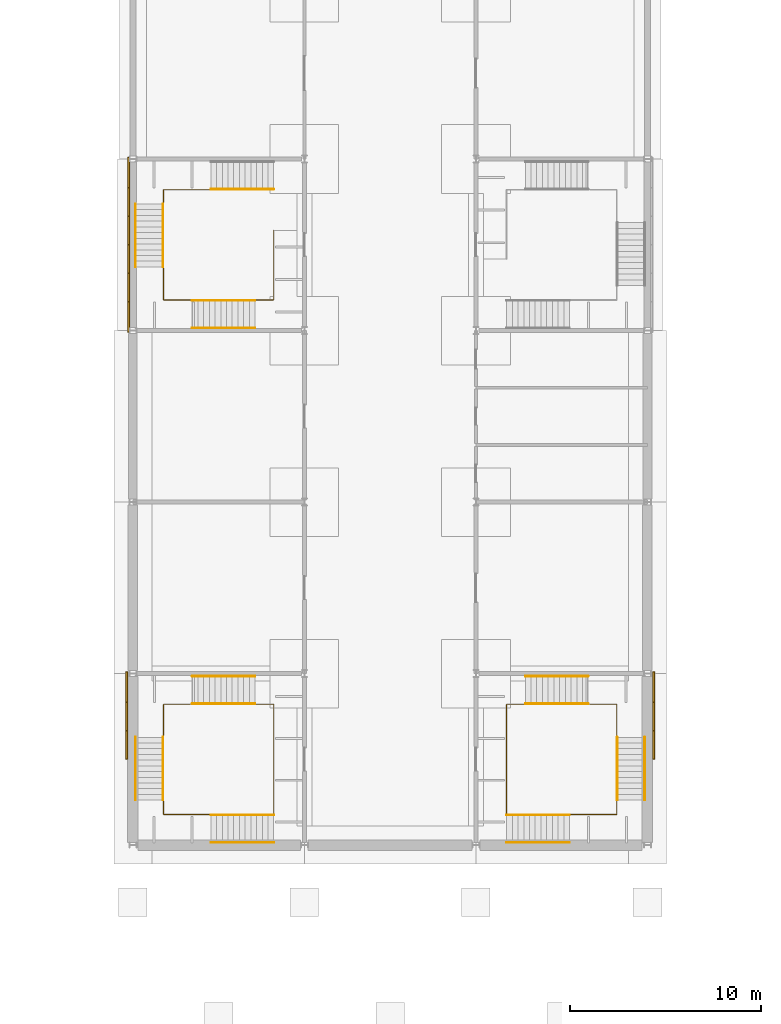
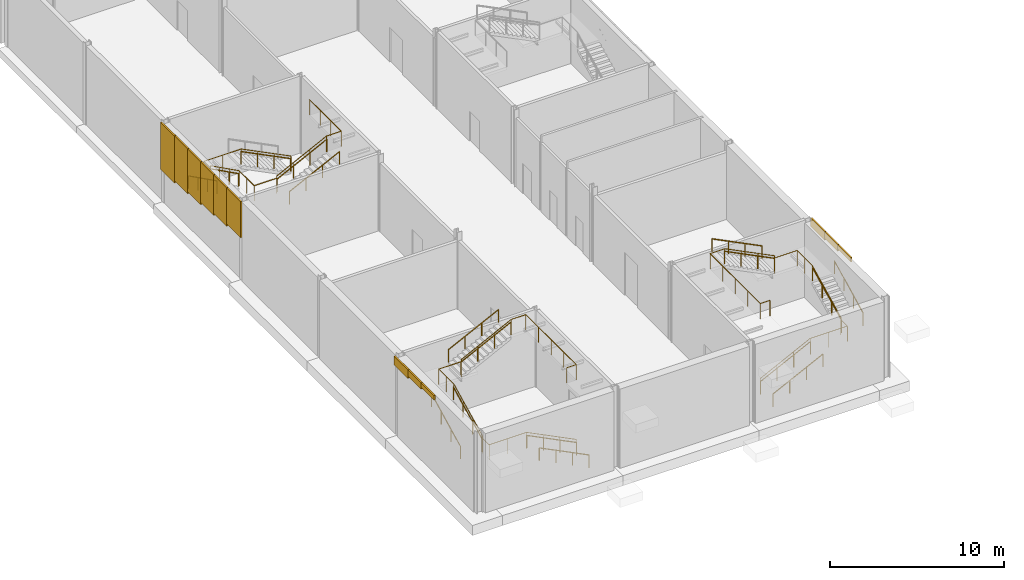
# One storey, part 37 of 45: 20 railings, 12 coverings.
"""IFC4 building model written with IfcOpenShell, lengths in metres."""

from ifc_helpers import new_model, si_unit, direction, frame, origin, origin_2d, place, context, subcontext, project, spatial, rectangle, circle, extrude, material, layer, layer_set, type_object, element, save


model = new_model("IFC4")

# Units and contexts
model_context = context("Model", 3, precision=1e-05, world=origin(), true_north=direction((0.0, 1.0)))
body_context = subcontext(model_context, "Body", "Model", "MODEL_VIEW")
ifc_project = project(units=[si_unit("LENGTHUNIT", "METRE"), si_unit("AREAUNIT", "SQUARE_METRE"), si_unit("VOLUMEUNIT", "CUBIC_METRE"), si_unit("PLANEANGLEUNIT", "RADIAN"), si_unit("MASSUNIT", "GRAM", prefix="KILO")], contexts=[model_context])

# Site, building, storey
site_placement = place(None, origin())
site = spatial("IfcSite", under=ifc_project, at=site_placement, CompositionType="ELEMENT")
building_placement = place(site_placement, origin())
building = spatial("IfcBuilding", under=site, at=building_placement, Name="Azimuth Sports and Learning Centre", CompositionType="ELEMENT")
storey_placement = place(building_placement, origin())
storey = spatial("IfcBuildingStorey", under=building, at=storey_placement, Name="L00", CompositionType="ELEMENT", Elevation=0.0)

# Coverings
ifc_material_1 = material(Name="Cladding panel")
ifc_layer = layer(ifc_material_1, 0.10009765625)
ifc_layer_set = layer_set([ifc_layer], Name="Cladding panel")
covering_type = type_object("IfcCoveringType", Name="Cladding panel 100", PredefinedType="CLADDING", material=ifc_layer_set)
covering_1_placement = place(storey_placement, frame((71.77490234375, 35.300048828125, 1.9501953125), z_axis=(0.0, 0.0, 1.0), x_axis=(0.0, -1.0, 0.0)))
element("IfcCovering", 1, at=covering_1_placement, inside=storey, type_object=covering_type, Name="Cladding panel W-ST3 L00 1", PredefinedType="CLADDING", context=body_context, shape_type="SweptSolid", body=[
    extrude(rectangle(XDim=1.60009765625, YDim=0.10009765625, at=origin_2d()), origin(), (0.0, 0.0, 1.0), 3.300048828125),
])
covering_2_placement = place(storey_placement, frame((71.77490234375, 33.75, 2.10009765625), z_axis=(0.0, 0.0, 1.0), x_axis=(0.0, -1.0, 0.0)))
element("IfcCovering", 2, at=covering_2_placement, inside=storey, type_object=covering_type, Name="Cladding panel W-ST3 L00 2", PredefinedType="CLADDING", context=body_context, shape_type="SweptSolid", body=[
    extrude(rectangle(XDim=1.5, YDim=0.10009765625, at=origin_2d()), origin(), (0.0, 0.0, 1.0), 3.14990234375),
])
covering_3_placement = place(storey_placement, frame((71.77490234375, 32.25, 2.25), z_axis=(0.0, 0.0, 1.0), x_axis=(0.0, -1.0, 0.0)))
element("IfcCovering", 3, at=covering_3_placement, inside=storey, type_object=covering_type, Name="Cladding panel W-ST3 L00 3", PredefinedType="CLADDING", context=body_context, shape_type="SweptSolid", body=[
    extrude(rectangle(XDim=1.5, YDim=0.10009765625, at=origin_2d()), origin(), (0.0, 0.0, 1.0), 3.0),
])
covering_4_placement = place(storey_placement, frame((71.77490234375, 30.75, 2.39990234375), z_axis=(0.0, 0.0, 1.0), x_axis=(0.0, -1.0, 0.0)))
element("IfcCovering", 4, at=covering_4_placement, inside=storey, type_object=covering_type, Name="Cladding panel W-ST3 L00 4", PredefinedType="CLADDING", context=body_context, shape_type="SweptSolid", body=[
    extrude(rectangle(XDim=1.5, YDim=0.10009765625, at=origin_2d()), origin(), (0.0, 0.0, 1.0), 2.85009765625),
])
covering_5_placement = place(storey_placement, frame((71.77490234375, 29.25, 2.5498046875), z_axis=(0.0, 0.0, 1.0), x_axis=(0.0, -1.0, 0.0)))
element("IfcCovering", 5, at=covering_5_placement, inside=storey, type_object=covering_type, Name="Cladding panel W-ST3 L00 5", PredefinedType="CLADDING", context=body_context, shape_type="SweptSolid", body=[
    extrude(rectangle(XDim=1.5, YDim=0.10009765625, at=origin_2d()), origin(), (0.0, 0.0, 1.0), 2.699951171875),
])
covering_6_placement = place(storey_placement, frame((71.77490234375, 27.699951171875, 2.7099609375), z_axis=(0.0, 0.0, 1.0), x_axis=(0.0, -1.0, 0.0)))
element("IfcCovering", 6, at=covering_6_placement, inside=storey, type_object=covering_type, Name="Cladding panel W-ST3 L00 6", PredefinedType="CLADDING", context=body_context, shape_type="SweptSolid", body=[
    extrude(rectangle(XDim=1.60009765625, YDim=0.10009765625, at=origin_2d()), origin(), (0.0, 0.0, 1.0), 2.5400390625),
])
covering_7_placement = place(storey_placement, frame((71.675048828125, 8.300048828125, 4.64990234375), z_axis=(0.0, 0.0, 1.0), x_axis=(0.0, -1.0, 0.0)))
element("IfcCovering", 7, at=covering_7_placement, inside=storey, type_object=covering_type, Name="Cladding panel W-ST1 L00 1", PredefinedType="CLADDING", context=body_context, shape_type="SweptSolid", body=[
    extrude(rectangle(XDim=1.60009765625, YDim=0.10009765625, at=origin_2d()), origin(), (0.0, 0.0, 1.0), 0.60009765625),
])
covering_8_placement = place(storey_placement, frame((71.675048828125, 6.75, 4.7998046875), z_axis=(0.0, 0.0, 1.0), x_axis=(0.0, -1.0, 0.0)))
element("IfcCovering", 8, at=covering_8_placement, inside=storey, type_object=covering_type, Name="Cladding panel W-ST1 L00 2", PredefinedType="CLADDING", context=body_context, shape_type="SweptSolid", body=[
    extrude(rectangle(XDim=1.5, YDim=0.10009765625, at=origin_2d()), origin(), (0.0, 0.0, 1.0), 0.449951171875),
])
for number, where, z_axis, x_axis, name in (
    (9, (71.675048828125, 5.25, 4.9501953125), (0.0, 0.0, 1.0), (0.0, -1.0, 0.0), "Cladding panel W-ST1 L00 3"),
    (10, (99.324951171875, 5.25, 4.9501953125), (0.0, 0.0, 1.0), (0.0, 1.0, 0.0), "Cladding panel E-ST2 L00 1"),
):
    element("IfcCovering", number, at=place(storey_placement, frame(where, z_axis=z_axis, x_axis=x_axis)), inside=storey, type_object=covering_type, Name=name, PredefinedType="CLADDING", context=body_context, shape_type="SweptSolid", body=[
        extrude(rectangle(XDim=1.5, YDim=0.10009765625, at=origin_2d()), origin(), (0.0, 0.0, 1.0), 0.300048828125),
    ])
covering_9_placement = place(storey_placement, frame((99.324951171875, 6.75, 4.7998046875), z_axis=(0.0, 0.0, 1.0), x_axis=(0.0, 1.0, 0.0)))
element("IfcCovering", 11, at=covering_9_placement, inside=storey, type_object=covering_type, Name="Cladding panel E-ST2 L00 2", PredefinedType="CLADDING", context=body_context, shape_type="SweptSolid", body=[
    extrude(rectangle(XDim=1.5, YDim=0.10009765625, at=origin_2d()), origin(), (0.0, 0.0, 1.0), 0.449951171875),
])
covering_10_placement = place(storey_placement, frame((99.324951171875, 8.300048828125, 4.64990234375), z_axis=(0.0, 0.0, 1.0), x_axis=(0.0, 1.0, 0.0)))
element("IfcCovering", 12, at=covering_10_placement, inside=storey, type_object=covering_type, Name="Cladding panel E-ST2 L00 3", PredefinedType="CLADDING", context=body_context, shape_type="SweptSolid", body=[
    extrude(rectangle(XDim=1.60009765625, YDim=0.10009765625, at=origin_2d()), origin(), (0.0, 0.0, 1.0), 0.60009765625),
])

# Railings
ifc_material_2 = material(Name="Stainless steel", Category="steel")
railing_type_1 = type_object("IfcRailingType", Name="Stair guard 1100", PredefinedType="GUARDRAIL", material=ifc_material_2)
railing_1_placement = place(storey_placement, frame((79.389892578125, 1.610107421875, 0.14990234375)))
element("IfcRailing", 13, at=railing_1_placement, inside=storey, type_object=railing_type_1, Name="Guard ST1 L00 well", PredefinedType="GUARDRAIL", context=body_context, shape_type="SweptSolid", body=[
    extrude(circle(Radius=0.02392578125, at=origin_2d()), frame((0.0, 0.0, 1.076171875), z_axis=(-0.894400720042, 0.0, 0.447266533499), x_axis=(0.0, -1.0, 0.0)), (0.0, 0.0, 1.0), 3.689453125),
    extrude(circle(Radius=0.02392578125, at=origin_2d()), frame((-3.2998046875, 0.0, 2.72607421875), z_axis=(-1.0, 0.0, 0.0), x_axis=(0.0, -1.0, 0.0)), (0.0, 0.0, 1.0), 2.47998046875),
    extrude(circle(Radius=0.02392578125, at=origin_2d()), frame((-5.77978515625, 0.0, 2.72607421875), z_axis=(0.0, 1.0, 0.0), x_axis=(-1.0, 0.0, 0.0)), (0.0, 0.0, 1.0), 0.75),
    extrude(circle(Radius=0.02392578125, at=origin_2d()), frame((-5.77978515625, 0.75, 2.72607421875), z_axis=(0.0, 0.0, 1.0), x_axis=(1.0, 0.0, 0.0)), (0.0, 0.0, 1.0), 0.14990234375),
    extrude(circle(Radius=0.02392578125, at=origin_2d()), frame((-5.77978515625, 0.75, 2.8759765625), z_axis=(0.0, 0.894400720042, 0.447266533499), x_axis=(-1.0, 0.0, 0.0)), (0.0, 0.0, 1.0), 3.689453125),
    extrude(circle(Radius=0.02392578125, at=origin_2d()), frame((-5.77978515625, 4.0498046875, 4.5263671875), z_axis=(0.0, 1.0, 0.0), x_axis=(-1.0, 0.0, 0.0)), (0.0, 0.0, 1.0), 1.72998046875),
    extrude(circle(Radius=0.02392578125, at=origin_2d()), frame((-5.77978515625, 5.77978515625, 4.5263671875), z_axis=(1.0, 0.0, 0.0), x_axis=(0.0, 1.0, 0.0)), (0.0, 0.0, 1.0), 1.5),
    extrude(circle(Radius=0.02392578125, at=origin_2d()), frame((-4.27978515625, 5.77978515625, 4.5263671875), z_axis=(0.0, 0.0, 1.0), x_axis=(1.0, 0.0, 0.0)), (0.0, 0.0, 1.0), 0.14990234375),
    extrude(circle(Radius=0.02392578125, at=origin_2d()), frame((-4.27978515625, 5.77978515625, 4.67626953125), z_axis=(0.894427191, 0.0, 0.4472135955), x_axis=(0.0, 1.0, 0.0)), (0.0, 0.0, 1.0), 3.689208984375),
    extrude(circle(Radius=0.02392578125, at=origin_2d()), frame((-0.97998046875, 5.77978515625, 6.326171875), z_axis=(1.0, 0.0, 0.0), x_axis=(0.0, 1.0, 0.0)), (0.0, 0.0, 1.0), 0.97998046875),
    extrude(circle(Radius=0.02392578125, at=origin_2d()), frame((0.0, 5.77978515625, 6.326171875), z_axis=(0.0, -1.0, 0.0), x_axis=(1.0, 0.0, 0.0)), (0.0, 0.0, 1.0), 5.77978515625),
    extrude(circle(Radius=0.02392578125, at=origin_2d()), frame((0.0, 0.0, 6.326171875), z_axis=(-1.0, 0.0, 0.0), x_axis=(0.0, -1.0, 0.0)), (0.0, 0.0, 1.0), 0.639892578125),
    extrude(circle(Radius=0.01611328125, at=origin_2d()), origin(), (0.0, 0.0, 1.0), 1.052001953125),
    extrude(circle(Radius=0.01611328125, at=origin_2d()), frame((-1.099853515625, 0.0, 0.550048828125)), (0.0, 0.0, 1.0), 1.052001953125),
    extrude(circle(Radius=0.01611328125, at=origin_2d()), frame((-2.199951171875, 0.0, 1.10009765625)), (0.0, 0.0, 1.0), 1.052001953125),
    extrude(circle(Radius=0.01611328125, at=origin_2d()), frame((-3.2998046875, 0.0, 1.650146484375)), (0.0, 0.0, 1.0), 1.052001953125),
    extrude(circle(Radius=0.01611328125, at=origin_2d()), frame((-4.539794921875, 0.0, 1.650146484375)), (0.0, 0.0, 1.0), 1.052001953125),
    extrude(circle(Radius=0.01611328125, at=origin_2d()), frame((-5.77978515625, 0.0, 1.650146484375)), (0.0, 0.0, 1.0), 1.052001953125),
    extrude(circle(Radius=0.01611328125, at=origin_2d()), frame((-5.77978515625, 0.75, 1.650146484375)), (0.0, 0.0, 1.0), 1.052001953125),
    extrude(circle(Radius=0.01611328125, at=origin_2d()), frame((-5.77978515625, 0.75, 1.800048828125)), (0.0, 0.0, 1.0), 1.052001953125),
    extrude(circle(Radius=0.01611328125, at=origin_2d()), frame((-5.77978515625, 1.849853515625, 2.35009765625)), (0.0, 0.0, 1.0), 1.052001953125),
    extrude(circle(Radius=0.01611328125, at=origin_2d()), frame((-5.77978515625, 2.949951171875, 2.900146484375)), (0.0, 0.0, 1.0), 1.052001953125),
    extrude(circle(Radius=0.01611328125, at=origin_2d()), frame((-5.77978515625, 4.0498046875, 3.4501953125)), (0.0, 0.0, 1.0), 1.052001953125),
    extrude(circle(Radius=0.01611328125, at=origin_2d()), frame((-5.77978515625, 4.914794921875, 3.4501953125)), (0.0, 0.0, 1.0), 1.052001953125),
    extrude(circle(Radius=0.01611328125, at=origin_2d()), frame((-5.77978515625, 5.77978515625, 3.4501953125)), (0.0, 0.0, 1.0), 1.052001953125),
    extrude(circle(Radius=0.01611328125, at=origin_2d()), frame((-4.27978515625, 5.77978515625, 3.4501953125)), (0.0, 0.0, 1.0), 1.052001953125),
    extrude(circle(Radius=0.01611328125, at=origin_2d()), frame((-4.27978515625, 5.77978515625, 3.60009765625)), (0.0, 0.0, 1.0), 1.052001953125),
    extrude(circle(Radius=0.01611328125, at=origin_2d()), frame((-3.179931640625, 5.77978515625, 4.150146484375)), (0.0, 0.0, 1.0), 1.052001953125),
    extrude(circle(Radius=0.01611328125, at=origin_2d()), frame((-2.079833984375, 5.77978515625, 4.699951171875)), (0.0, 0.0, 1.0), 1.052001953125),
    extrude(circle(Radius=0.01611328125, at=origin_2d()), frame((-0.97998046875, 5.77978515625, 5.25)), (0.0, 0.0, 1.0), 1.052001953125),
    extrude(circle(Radius=0.01611328125, at=origin_2d()), frame((0.0, 5.77978515625, 5.25)), (0.0, 0.0, 1.0), 1.052001953125),
    extrude(circle(Radius=0.01611328125, at=origin_2d()), frame((0.0, 4.3349609375, 5.25)), (0.0, 0.0, 1.0), 1.052001953125),
    extrude(circle(Radius=0.01611328125, at=origin_2d()), frame((0.0, 2.889892578125, 5.25)), (0.0, 0.0, 1.0), 1.052001953125),
    extrude(circle(Radius=0.01611328125, at=origin_2d()), frame((0.0, 1.44482421875, 5.25)), (0.0, 0.0, 1.0), 1.052001953125),
    extrude(circle(Radius=0.01611328125, at=origin_2d()), frame((0.0, 0.0, 5.25)), (0.0, 0.0, 1.0), 1.052001953125),
    extrude(circle(Radius=0.01611328125, at=origin_2d()), frame((-0.639892578125, 0.0, 5.25)), (0.0, 0.0, 1.0), 1.052001953125),
])
railing_2_placement = place(storey_placement, frame((91.610107421875, 1.610107421875, 0.14990234375)))
element("IfcRailing", 14, at=railing_2_placement, inside=storey, type_object=railing_type_1, Name="Guard ST2 L00 well", PredefinedType="GUARDRAIL", context=body_context, shape_type="SweptSolid", body=[
    extrude(circle(Radius=0.02392578125, at=origin_2d()), frame((0.0, 0.0, 1.076171875), z_axis=(0.894400720042, 0.0, 0.447266533499), x_axis=(0.0, 1.0, 0.0)), (0.0, 0.0, 1.0), 3.689453125),
    extrude(circle(Radius=0.02392578125, at=origin_2d()), frame((3.2998046875, 0.0, 2.72607421875), z_axis=(1.0, 0.0, 0.0), x_axis=(0.0, 1.0, 0.0)), (0.0, 0.0, 1.0), 2.47998046875),
    extrude(circle(Radius=0.02392578125, at=origin_2d()), frame((5.77978515625, 0.0, 2.72607421875), z_axis=(0.0, 1.0, 0.0), x_axis=(-1.0, 0.0, 0.0)), (0.0, 0.0, 1.0), 0.75),
    extrude(circle(Radius=0.02392578125, at=origin_2d()), frame((5.77978515625, 0.75, 2.72607421875), z_axis=(0.0, 0.0, 1.0), x_axis=(1.0, 0.0, 0.0)), (0.0, 0.0, 1.0), 0.14990234375),
    extrude(circle(Radius=0.02392578125, at=origin_2d()), frame((5.77978515625, 0.75, 2.8759765625), z_axis=(0.0, 0.894400720042, 0.447266533499), x_axis=(-1.0, 0.0, 0.0)), (0.0, 0.0, 1.0), 3.689453125),
    extrude(circle(Radius=0.02392578125, at=origin_2d()), frame((5.77978515625, 4.0498046875, 4.5263671875), z_axis=(0.0, 1.0, 0.0), x_axis=(-1.0, 0.0, 0.0)), (0.0, 0.0, 1.0), 1.72998046875),
    extrude(circle(Radius=0.02392578125, at=origin_2d()), frame((5.77978515625, 5.77978515625, 4.5263671875), z_axis=(-1.0, 0.0, 0.0), x_axis=(0.0, -1.0, 0.0)), (0.0, 0.0, 1.0), 1.5),
    extrude(circle(Radius=0.02392578125, at=origin_2d()), frame((4.27978515625, 5.77978515625, 4.5263671875), z_axis=(0.0, 0.0, 1.0), x_axis=(1.0, 0.0, 0.0)), (0.0, 0.0, 1.0), 0.14990234375),
    extrude(circle(Radius=0.02392578125, at=origin_2d()), frame((4.27978515625, 5.77978515625, 4.67626953125), z_axis=(-0.894427191, 0.0, 0.4472135955), x_axis=(0.0, -1.0, 0.0)), (0.0, 0.0, 1.0), 3.689208984375),
    extrude(circle(Radius=0.02392578125, at=origin_2d()), frame((0.97998046875, 5.77978515625, 6.326171875), z_axis=(-1.0, 0.0, 0.0), x_axis=(0.0, -1.0, 0.0)), (0.0, 0.0, 1.0), 0.97998046875),
    extrude(circle(Radius=0.02392578125, at=origin_2d()), frame((0.0, 5.77978515625, 6.326171875), z_axis=(0.0, -1.0, 0.0), x_axis=(1.0, 0.0, 0.0)), (0.0, 0.0, 1.0), 5.77978515625),
    extrude(circle(Radius=0.02392578125, at=origin_2d()), frame((0.0, 0.0, 6.326171875), z_axis=(1.0, 0.0, 0.0), x_axis=(0.0, 1.0, 0.0)), (0.0, 0.0, 1.0), 0.639892578125),
    extrude(circle(Radius=0.01611328125, at=origin_2d()), origin(), (0.0, 0.0, 1.0), 1.052001953125),
    extrude(circle(Radius=0.01611328125, at=origin_2d()), frame((1.099853515625, 0.0, 0.550048828125)), (0.0, 0.0, 1.0), 1.052001953125),
    extrude(circle(Radius=0.01611328125, at=origin_2d()), frame((2.199951171875, 0.0, 1.10009765625)), (0.0, 0.0, 1.0), 1.052001953125),
    extrude(circle(Radius=0.01611328125, at=origin_2d()), frame((3.2998046875, 0.0, 1.650146484375)), (0.0, 0.0, 1.0), 1.052001953125),
    extrude(circle(Radius=0.01611328125, at=origin_2d()), frame((4.539794921875, 0.0, 1.650146484375)), (0.0, 0.0, 1.0), 1.052001953125),
    extrude(circle(Radius=0.01611328125, at=origin_2d()), frame((5.77978515625, 0.0, 1.650146484375)), (0.0, 0.0, 1.0), 1.052001953125),
    extrude(circle(Radius=0.01611328125, at=origin_2d()), frame((5.77978515625, 0.75, 1.650146484375)), (0.0, 0.0, 1.0), 1.052001953125),
    extrude(circle(Radius=0.01611328125, at=origin_2d()), frame((5.77978515625, 0.75, 1.800048828125)), (0.0, 0.0, 1.0), 1.052001953125),
    extrude(circle(Radius=0.01611328125, at=origin_2d()), frame((5.77978515625, 1.849853515625, 2.35009765625)), (0.0, 0.0, 1.0), 1.052001953125),
    extrude(circle(Radius=0.01611328125, at=origin_2d()), frame((5.77978515625, 2.949951171875, 2.900146484375)), (0.0, 0.0, 1.0), 1.052001953125),
    extrude(circle(Radius=0.01611328125, at=origin_2d()), frame((5.77978515625, 4.0498046875, 3.4501953125)), (0.0, 0.0, 1.0), 1.052001953125),
    extrude(circle(Radius=0.01611328125, at=origin_2d()), frame((5.77978515625, 4.914794921875, 3.4501953125)), (0.0, 0.0, 1.0), 1.052001953125),
    extrude(circle(Radius=0.01611328125, at=origin_2d()), frame((5.77978515625, 5.77978515625, 3.4501953125)), (0.0, 0.0, 1.0), 1.052001953125),
    extrude(circle(Radius=0.01611328125, at=origin_2d()), frame((4.27978515625, 5.77978515625, 3.4501953125)), (0.0, 0.0, 1.0), 1.052001953125),
    extrude(circle(Radius=0.01611328125, at=origin_2d()), frame((4.27978515625, 5.77978515625, 3.60009765625)), (0.0, 0.0, 1.0), 1.052001953125),
    extrude(circle(Radius=0.01611328125, at=origin_2d()), frame((3.179931640625, 5.77978515625, 4.150146484375)), (0.0, 0.0, 1.0), 1.052001953125),
    extrude(circle(Radius=0.01611328125, at=origin_2d()), frame((2.079833984375, 5.77978515625, 4.699951171875)), (0.0, 0.0, 1.0), 1.052001953125),
    extrude(circle(Radius=0.01611328125, at=origin_2d()), frame((0.97998046875, 5.77978515625, 5.25)), (0.0, 0.0, 1.0), 1.052001953125),
    extrude(circle(Radius=0.01611328125, at=origin_2d()), frame((0.0, 5.77978515625, 5.25)), (0.0, 0.0, 1.0), 1.052001953125),
    extrude(circle(Radius=0.01611328125, at=origin_2d()), frame((0.0, 4.3349609375, 5.25)), (0.0, 0.0, 1.0), 1.052001953125),
    extrude(circle(Radius=0.01611328125, at=origin_2d()), frame((0.0, 2.889892578125, 5.25)), (0.0, 0.0, 1.0), 1.052001953125),
    extrude(circle(Radius=0.01611328125, at=origin_2d()), frame((0.0, 1.44482421875, 5.25)), (0.0, 0.0, 1.0), 1.052001953125),
    extrude(circle(Radius=0.01611328125, at=origin_2d()), frame((0.0, 0.0, 5.25)), (0.0, 0.0, 1.0), 1.052001953125),
    extrude(circle(Radius=0.01611328125, at=origin_2d()), frame((0.639892578125, 0.0, 5.25)), (0.0, 0.0, 1.0), 1.052001953125),
])
railing_3_placement = place(storey_placement, frame((79.389892578125, 34.389892578125, 0.14990234375)))
element("IfcRailing", 15, at=railing_3_placement, inside=storey, type_object=railing_type_1, Name="Guard ST3 L00 well", PredefinedType="GUARDRAIL", context=body_context, shape_type="SweptSolid", body=[
    extrude(circle(Radius=0.02392578125, at=origin_2d()), frame((0.0, 0.0, 1.076171875), z_axis=(-0.894400720042, 0.0, 0.447266533499), x_axis=(0.0, -1.0, 0.0)), (0.0, 0.0, 1.0), 3.689453125),
    extrude(circle(Radius=0.02392578125, at=origin_2d()), frame((-3.2998046875, 0.0, 2.72607421875), z_axis=(-1.0, 0.0, 0.0), x_axis=(0.0, -1.0, 0.0)), (0.0, 0.0, 1.0), 2.47998046875),
    extrude(circle(Radius=0.02392578125, at=origin_2d()), frame((-5.77978515625, 0.0, 2.72607421875), z_axis=(0.0, -1.0, 0.0), x_axis=(1.0, 0.0, 0.0)), (0.0, 0.0, 1.0), 0.75),
    extrude(circle(Radius=0.02392578125, at=origin_2d()), frame((-5.77978515625, -0.75, 2.72607421875), z_axis=(0.0, 0.0, 1.0), x_axis=(1.0, 0.0, 0.0)), (0.0, 0.0, 1.0), 0.14990234375),
    extrude(circle(Radius=0.02392578125, at=origin_2d()), frame((-5.77978515625, -0.75, 2.8759765625), z_axis=(0.0, -0.894400720042, 0.447266533499), x_axis=(1.0, 0.0, 0.0)), (0.0, 0.0, 1.0), 3.689453125),
    extrude(circle(Radius=0.02392578125, at=origin_2d()), frame((-5.77978515625, -4.0498046875, 4.5263671875), z_axis=(0.0, -1.0, 0.0), x_axis=(1.0, 0.0, 0.0)), (0.0, 0.0, 1.0), 1.72998046875),
    extrude(circle(Radius=0.02392578125, at=origin_2d()), frame((-5.77978515625, -5.77978515625, 4.5263671875), z_axis=(1.0, 0.0, 0.0), x_axis=(0.0, 1.0, 0.0)), (0.0, 0.0, 1.0), 1.5),
    extrude(circle(Radius=0.02392578125, at=origin_2d()), frame((-4.27978515625, -5.77978515625, 4.5263671875), z_axis=(0.0, 0.0, 1.0), x_axis=(1.0, 0.0, 0.0)), (0.0, 0.0, 1.0), 0.14990234375),
    extrude(circle(Radius=0.02392578125, at=origin_2d()), frame((-4.27978515625, -5.77978515625, 4.67626953125), z_axis=(0.894427191, 0.0, 0.4472135955), x_axis=(0.0, 1.0, 0.0)), (0.0, 0.0, 1.0), 3.689208984375),
    extrude(circle(Radius=0.02392578125, at=origin_2d()), frame((-0.97998046875, -5.77978515625, 6.326171875), z_axis=(1.0, 0.0, 0.0), x_axis=(0.0, 1.0, 0.0)), (0.0, 0.0, 1.0), 0.97998046875),
    extrude(circle(Radius=0.02392578125, at=origin_2d()), frame((0.0, -5.77978515625, 6.326171875), z_axis=(0.0, 1.0, 0.0), x_axis=(-1.0, 0.0, 0.0)), (0.0, 0.0, 1.0), 3.639892578125),
    extrude(circle(Radius=0.01611328125, at=origin_2d()), origin(), (0.0, 0.0, 1.0), 1.052001953125),
    extrude(circle(Radius=0.01611328125, at=origin_2d()), frame((-1.099853515625, 0.0, 0.550048828125)), (0.0, 0.0, 1.0), 1.052001953125),
    extrude(circle(Radius=0.01611328125, at=origin_2d()), frame((-2.199951171875, 0.0, 1.10009765625)), (0.0, 0.0, 1.0), 1.052001953125),
    extrude(circle(Radius=0.01611328125, at=origin_2d()), frame((-3.2998046875, 0.0, 1.650146484375)), (0.0, 0.0, 1.0), 1.052001953125),
    extrude(circle(Radius=0.01611328125, at=origin_2d()), frame((-4.539794921875, 0.0, 1.650146484375)), (0.0, 0.0, 1.0), 1.052001953125),
    extrude(circle(Radius=0.01611328125, at=origin_2d()), frame((-5.77978515625, 0.0, 1.650146484375)), (0.0, 0.0, 1.0), 1.052001953125),
    extrude(circle(Radius=0.01611328125, at=origin_2d()), frame((-5.77978515625, -0.75, 1.650146484375)), (0.0, 0.0, 1.0), 1.052001953125),
    extrude(circle(Radius=0.01611328125, at=origin_2d()), frame((-5.77978515625, -0.75, 1.800048828125)), (0.0, 0.0, 1.0), 1.052001953125),
    extrude(circle(Radius=0.01611328125, at=origin_2d()), frame((-5.77978515625, -1.849853515625, 2.35009765625)), (0.0, 0.0, 1.0), 1.052001953125),
    extrude(circle(Radius=0.01611328125, at=origin_2d()), frame((-5.77978515625, -2.949951171875, 2.900146484375)), (0.0, 0.0, 1.0), 1.052001953125),
    extrude(circle(Radius=0.01611328125, at=origin_2d()), frame((-5.77978515625, -4.0498046875, 3.4501953125)), (0.0, 0.0, 1.0), 1.052001953125),
    extrude(circle(Radius=0.01611328125, at=origin_2d()), frame((-5.77978515625, -4.914794921875, 3.4501953125)), (0.0, 0.0, 1.0), 1.052001953125),
    extrude(circle(Radius=0.01611328125, at=origin_2d()), frame((-5.77978515625, -5.77978515625, 3.4501953125)), (0.0, 0.0, 1.0), 1.052001953125),
    extrude(circle(Radius=0.01611328125, at=origin_2d()), frame((-4.27978515625, -5.77978515625, 3.4501953125)), (0.0, 0.0, 1.0), 1.052001953125),
    extrude(circle(Radius=0.01611328125, at=origin_2d()), frame((-4.27978515625, -5.77978515625, 3.60009765625)), (0.0, 0.0, 1.0), 1.052001953125),
    extrude(circle(Radius=0.01611328125, at=origin_2d()), frame((-3.179931640625, -5.77978515625, 4.150146484375)), (0.0, 0.0, 1.0), 1.052001953125),
    extrude(circle(Radius=0.01611328125, at=origin_2d()), frame((-2.079833984375, -5.77978515625, 4.699951171875)), (0.0, 0.0, 1.0), 1.052001953125),
    extrude(circle(Radius=0.01611328125, at=origin_2d()), frame((-0.97998046875, -5.77978515625, 5.25)), (0.0, 0.0, 1.0), 1.052001953125),
    extrude(circle(Radius=0.01611328125, at=origin_2d()), frame((0.0, -5.77978515625, 5.25)), (0.0, 0.0, 1.0), 1.052001953125),
    extrude(circle(Radius=0.01611328125, at=origin_2d()), frame((0.0, -4.56640625, 5.25)), (0.0, 0.0, 1.0), 1.052001953125),
    extrude(circle(Radius=0.01611328125, at=origin_2d()), frame((0.0, -3.353271484375, 5.25)), (0.0, 0.0, 1.0), 1.052001953125),
    extrude(circle(Radius=0.01611328125, at=origin_2d()), frame((0.0, -2.139892578125, 5.25)), (0.0, 0.0, 1.0), 1.052001953125),
])
ifc_material_3 = material(Name="Stainless steel", Category="steel")
railing_type_2 = type_object("IfcRailingType", Name="Stair handrail 42", PredefinedType="HANDRAIL", material=ifc_material_3)
for number, where, name in (
    (16, (79.389892578125, 1.580078125, 0.14990234375), "Handrail ST1 L00 flight 1 inner"),
    (17, (79.389892578125, 0.139892578125, 0.14990234375), "Handrail ST1 L00 flight 1 outer"),
):
    element("IfcRailing", number, at=place(storey_placement, frame(where)), inside=storey, type_object=railing_type_2, Name=name, PredefinedType="HANDRAIL", context=body_context, shape_type="SweptSolid", body=[
        extrude(circle(Radius=0.02099609375, at=origin_2d()), frame((0.0, 0.0, 0.87890625), z_axis=(-0.894400720042, 0.0, 0.447266533499), x_axis=(0.0, -1.0, 0.0)), (0.0, 0.0, 1.0), 3.689453125),
        extrude(circle(Radius=0.01611328125, at=origin_2d()), origin(), (0.0, 0.0, 1.0), 0.85791015625),
        extrude(circle(Radius=0.01611328125, at=origin_2d()), frame((-1.099853515625, 0.0, 0.550048828125)), (0.0, 0.0, 1.0), 0.85791015625),
        extrude(circle(Radius=0.01611328125, at=origin_2d()), frame((-2.199951171875, 0.0, 1.10009765625)), (0.0, 0.0, 1.0), 0.85791015625),
        extrude(circle(Radius=0.01611328125, at=origin_2d()), frame((-3.2998046875, 0.0, 1.650146484375)), (0.0, 0.0, 1.0), 0.85791015625),
    ])
for number, where, name in (
    (18, (73.580078125, 2.360107421875, 1.949951171875), "Handrail ST1 L00 flight 2 inner"),
    (19, (72.139892578125, 2.360107421875, 1.949951171875), "Handrail ST1 L00 flight 2 outer"),
):
    element("IfcRailing", number, at=place(storey_placement, frame(where)), inside=storey, type_object=railing_type_2, Name=name, PredefinedType="HANDRAIL", context=body_context, shape_type="SweptSolid", body=[
        extrude(circle(Radius=0.02099609375, at=origin_2d()), frame((0.0, 0.0, 0.87890625), z_axis=(0.0, 0.894400720042, 0.447266533499), x_axis=(-1.0, 0.0, 0.0)), (0.0, 0.0, 1.0), 3.689453125),
        extrude(circle(Radius=0.01611328125, at=origin_2d()), origin(), (0.0, 0.0, 1.0), 0.85791015625),
        extrude(circle(Radius=0.01611328125, at=origin_2d()), frame((0.0, 1.099853515625, 0.550048828125)), (0.0, 0.0, 1.0), 0.85791015625),
        extrude(circle(Radius=0.01611328125, at=origin_2d()), frame((0.0, 2.199951171875, 1.10009765625)), (0.0, 0.0, 1.0), 0.85791015625),
        extrude(circle(Radius=0.01611328125, at=origin_2d()), frame((0.0, 3.2998046875, 1.650146484375)), (0.0, 0.0, 1.0), 0.85791015625),
    ])
for number, where, name in (
    (20, (75.110107421875, 7.419921875, 3.75), "Handrail ST1 L00 flight 3 inner"),
    (21, (75.110107421875, 8.860107421875, 3.75), "Handrail ST1 L00 flight 3 outer"),
):
    element("IfcRailing", number, at=place(storey_placement, frame(where)), inside=storey, type_object=railing_type_2, Name=name, PredefinedType="HANDRAIL", context=body_context, shape_type="SweptSolid", body=[
        extrude(circle(Radius=0.02099609375, at=origin_2d()), frame((0.0, 0.0, 0.87890625), z_axis=(0.894427191, 0.0, 0.4472135955), x_axis=(0.0, 1.0, 0.0)), (0.0, 0.0, 1.0), 3.689208984375),
        extrude(circle(Radius=0.01611328125, at=origin_2d()), origin(), (0.0, 0.0, 1.0), 0.85791015625),
        extrude(circle(Radius=0.01611328125, at=origin_2d()), frame((1.099853515625, 0.0, 0.550048828125)), (0.0, 0.0, 1.0), 0.85791015625),
        extrude(circle(Radius=0.01611328125, at=origin_2d()), frame((2.199951171875, 0.0, 1.099853515625)), (0.0, 0.0, 1.0), 0.85791015625),
        extrude(circle(Radius=0.01611328125, at=origin_2d()), frame((3.2998046875, 0.0, 1.64990234375)), (0.0, 0.0, 1.0), 0.85791015625),
    ])
for number, where, name in (
    (22, (91.610107421875, 1.580078125, 0.14990234375), "Handrail ST2 L00 flight 1 inner"),
    (23, (91.610107421875, 0.139892578125, 0.14990234375), "Handrail ST2 L00 flight 1 outer"),
):
    element("IfcRailing", number, at=place(storey_placement, frame(where)), inside=storey, type_object=railing_type_2, Name=name, PredefinedType="HANDRAIL", context=body_context, shape_type="SweptSolid", body=[
        extrude(circle(Radius=0.02099609375, at=origin_2d()), frame((0.0, 0.0, 0.87890625), z_axis=(0.894400720042, 0.0, 0.447266533499), x_axis=(0.0, 1.0, 0.0)), (0.0, 0.0, 1.0), 3.689453125),
        extrude(circle(Radius=0.01611328125, at=origin_2d()), origin(), (0.0, 0.0, 1.0), 0.85791015625),
        extrude(circle(Radius=0.01611328125, at=origin_2d()), frame((1.099853515625, 0.0, 0.550048828125)), (0.0, 0.0, 1.0), 0.85791015625),
        extrude(circle(Radius=0.01611328125, at=origin_2d()), frame((2.199951171875, 0.0, 1.10009765625)), (0.0, 0.0, 1.0), 0.85791015625),
        extrude(circle(Radius=0.01611328125, at=origin_2d()), frame((3.2998046875, 0.0, 1.650146484375)), (0.0, 0.0, 1.0), 0.85791015625),
    ])
for number, where, name in (
    (24, (97.419921875, 2.360107421875, 1.949951171875), "Handrail ST2 L00 flight 2 inner"),
    (25, (98.860107421875, 2.360107421875, 1.949951171875), "Handrail ST2 L00 flight 2 outer"),
):
    element("IfcRailing", number, at=place(storey_placement, frame(where)), inside=storey, type_object=railing_type_2, Name=name, PredefinedType="HANDRAIL", context=body_context, shape_type="SweptSolid", body=[
        extrude(circle(Radius=0.02099609375, at=origin_2d()), frame((0.0, 0.0, 0.87890625), z_axis=(0.0, 0.894400720042, 0.447266533499), x_axis=(-1.0, 0.0, 0.0)), (0.0, 0.0, 1.0), 3.689453125),
        extrude(circle(Radius=0.01611328125, at=origin_2d()), origin(), (0.0, 0.0, 1.0), 0.85791015625),
        extrude(circle(Radius=0.01611328125, at=origin_2d()), frame((0.0, 1.099853515625, 0.550048828125)), (0.0, 0.0, 1.0), 0.85791015625),
        extrude(circle(Radius=0.01611328125, at=origin_2d()), frame((0.0, 2.199951171875, 1.10009765625)), (0.0, 0.0, 1.0), 0.85791015625),
        extrude(circle(Radius=0.01611328125, at=origin_2d()), frame((0.0, 3.2998046875, 1.650146484375)), (0.0, 0.0, 1.0), 0.85791015625),
    ])
for number, where, name in (
    (26, (95.889892578125, 7.419921875, 3.75), "Handrail ST2 L00 flight 3 inner"),
    (27, (95.889892578125, 8.860107421875, 3.75), "Handrail ST2 L00 flight 3 outer"),
):
    element("IfcRailing", number, at=place(storey_placement, frame(where)), inside=storey, type_object=railing_type_2, Name=name, PredefinedType="HANDRAIL", context=body_context, shape_type="SweptSolid", body=[
        extrude(circle(Radius=0.02099609375, at=origin_2d()), frame((0.0, 0.0, 0.87890625), z_axis=(-0.894427191, 0.0, 0.4472135955), x_axis=(0.0, -1.0, 0.0)), (0.0, 0.0, 1.0), 3.689208984375),
        extrude(circle(Radius=0.01611328125, at=origin_2d()), origin(), (0.0, 0.0, 1.0), 0.85791015625),
        extrude(circle(Radius=0.01611328125, at=origin_2d()), frame((-1.099853515625, 0.0, 0.550048828125)), (0.0, 0.0, 1.0), 0.85791015625),
        extrude(circle(Radius=0.01611328125, at=origin_2d()), frame((-2.199951171875, 0.0, 1.099853515625)), (0.0, 0.0, 1.0), 0.85791015625),
        extrude(circle(Radius=0.01611328125, at=origin_2d()), frame((-3.2998046875, 0.0, 1.64990234375)), (0.0, 0.0, 1.0), 0.85791015625),
    ])
railing_4_placement = place(storey_placement, frame((79.389892578125, 34.419921875, 0.14990234375)))
element("IfcRailing", 28, at=railing_4_placement, inside=storey, type_object=railing_type_2, Name="Handrail ST3 L00 flight 1 inner", PredefinedType="HANDRAIL", context=body_context, shape_type="SweptSolid", body=[
    extrude(circle(Radius=0.02099609375, at=origin_2d()), frame((0.0, 0.0, 0.87890625), z_axis=(-0.894400720042, 0.0, 0.447266533499), x_axis=(0.0, -1.0, 0.0)), (0.0, 0.0, 1.0), 3.689453125),
    extrude(circle(Radius=0.01611328125, at=origin_2d()), origin(), (0.0, 0.0, 1.0), 0.85791015625),
    extrude(circle(Radius=0.01611328125, at=origin_2d()), frame((-1.099853515625, 0.0, 0.550048828125)), (0.0, 0.0, 1.0), 0.85791015625),
    extrude(circle(Radius=0.01611328125, at=origin_2d()), frame((-2.199951171875, 0.0, 1.10009765625)), (0.0, 0.0, 1.0), 0.85791015625),
    extrude(circle(Radius=0.01611328125, at=origin_2d()), frame((-3.2998046875, 0.0, 1.650146484375)), (0.0, 0.0, 1.0), 0.85791015625),
])
for number, where, name in (
    (29, (73.580078125, 33.639892578125, 1.949951171875), "Handrail ST3 L00 flight 2 inner"),
    (30, (72.139892578125, 33.639892578125, 1.949951171875), "Handrail ST3 L00 flight 2 outer"),
):
    element("IfcRailing", number, at=place(storey_placement, frame(where)), inside=storey, type_object=railing_type_2, Name=name, PredefinedType="HANDRAIL", context=body_context, shape_type="SweptSolid", body=[
        extrude(circle(Radius=0.02099609375, at=origin_2d()), frame((0.0, 0.0, 0.87890625), z_axis=(0.0, -0.894400720042, 0.447266533499), x_axis=(1.0, 0.0, 0.0)), (0.0, 0.0, 1.0), 3.689453125),
        extrude(circle(Radius=0.01611328125, at=origin_2d()), origin(), (0.0, 0.0, 1.0), 0.85791015625),
        extrude(circle(Radius=0.01611328125, at=origin_2d()), frame((0.0, -1.099853515625, 0.550048828125)), (0.0, 0.0, 1.0), 0.85791015625),
        extrude(circle(Radius=0.01611328125, at=origin_2d()), frame((0.0, -2.199951171875, 1.10009765625)), (0.0, 0.0, 1.0), 0.85791015625),
        extrude(circle(Radius=0.01611328125, at=origin_2d()), frame((0.0, -3.2998046875, 1.650146484375)), (0.0, 0.0, 1.0), 0.85791015625),
    ])
for number, where, name in (
    (31, (75.110107421875, 28.580078125, 3.75), "Handrail ST3 L00 flight 3 inner"),
    (32, (75.110107421875, 27.139892578125, 3.75), "Handrail ST3 L00 flight 3 outer"),
):
    element("IfcRailing", number, at=place(storey_placement, frame(where)), inside=storey, type_object=railing_type_2, Name=name, PredefinedType="HANDRAIL", context=body_context, shape_type="SweptSolid", body=[
        extrude(circle(Radius=0.02099609375, at=origin_2d()), frame((0.0, 0.0, 0.87890625), z_axis=(0.894427191, 0.0, 0.4472135955), x_axis=(0.0, 1.0, 0.0)), (0.0, 0.0, 1.0), 3.689208984375),
        extrude(circle(Radius=0.01611328125, at=origin_2d()), origin(), (0.0, 0.0, 1.0), 0.85791015625),
        extrude(circle(Radius=0.01611328125, at=origin_2d()), frame((1.099853515625, 0.0, 0.550048828125)), (0.0, 0.0, 1.0), 0.85791015625),
        extrude(circle(Radius=0.01611328125, at=origin_2d()), frame((2.199951171875, 0.0, 1.099853515625)), (0.0, 0.0, 1.0), 0.85791015625),
        extrude(circle(Radius=0.01611328125, at=origin_2d()), frame((3.2998046875, 0.0, 1.64990234375)), (0.0, 0.0, 1.0), 0.85791015625),
    ])

save(model, "model.ifc")
